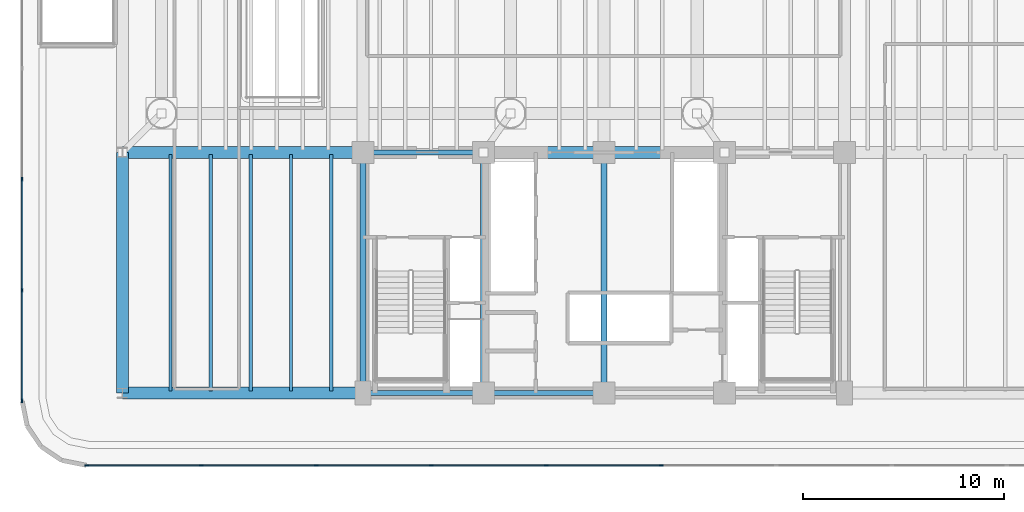
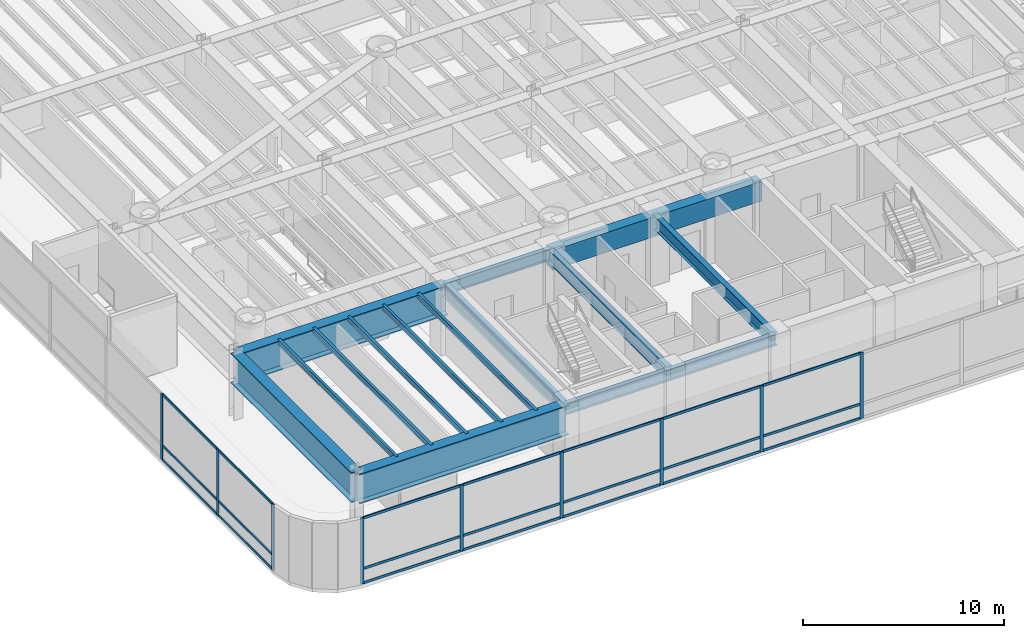
# One storey, part 3 of 18: 30 members, 15 beams, 2 elements without a shape of their own.
"""IFC4 building model written with IfcOpenShell, lengths in metres."""

from ifc_helpers import new_model, si_unit, direction, frame, origin, origin_2d, place, context, subcontext, project, spatial, rectangle, i_section, extrude, source, transform, mapped, material, layer, layer_set, material_profile, profile_set, type_object, element, aggregate, save


model = new_model("IFC4")

# Units and contexts
model_context = context("Model", 3, precision=1e-05, world=origin(), true_north=direction((0.0, 1.0)))
body_context = subcontext(model_context, "Body", "Model", "MODEL_VIEW")
ifc_project = project(units=[si_unit("LENGTHUNIT", "METRE"), si_unit("AREAUNIT", "SQUARE_METRE"), si_unit("VOLUMEUNIT", "CUBIC_METRE"), si_unit("PLANEANGLEUNIT", "RADIAN"), si_unit("MASSUNIT", "GRAM", prefix="KILO")], contexts=[model_context])

# Site, building, storey
site_placement = place(None, origin())
site = spatial("IfcSite", under=ifc_project, at=site_placement, CompositionType="ELEMENT")
building_placement = place(site_placement, origin())
building = spatial("IfcBuilding", under=site, at=building_placement, Name="Brelvock Crest Care Tower", CompositionType="ELEMENT")
storey_placement = place(building_placement, frame((0.0, 0.0, 22.679931640625)))
storey = spatial("IfcBuildingStorey", under=building, at=storey_placement, Name="L05", CompositionType="ELEMENT", Elevation=22.679931640625)

# Beams
ifc_material_1 = material(Name="Concrete S80 (80 MPa)", Category="concrete")
ifc_material_profile_1 = material_profile(ifc_material_1, rectangle(XDim=0.60009765625, YDim=1.199951171875, at=origin_2d()), Name="RC600x1200")
ifc_profile_set_1 = profile_set([ifc_material_profile_1], Name="Concrete S80 (80 MPa)")
beam_type_1 = type_object("IfcBeamType", Name="BM-LN1", PredefinedType="LINTEL", material=ifc_profile_set_1)
shared_shape_1 = source(origin(), body_context, "Body", "SweptSolid", [
    extrude(rectangle(XDim=0.60009765625, YDim=1.199951171875, at=origin_2d()), origin(), (0.0, 0.0, 1.0), 12.0),
])
beam_placement = place(storey_placement, frame((30.0, 18.0, 3.400146484375), z_axis=(1.0, 0.0, 0.0), x_axis=(0.0, 1.0, 0.0)))
element("IfcBeam", 1, at=beam_placement, inside=storey, type_object=beam_type_1, Name="L05 Core Coupling Lintel Beam", PredefinedType="LINTEL", context=body_context, shape_type="MappedRepresentation", body=[
    mapped(shared_shape_1, transform((0.0, 0.0, 0.0), x_axis=(1.0, 0.0, 0.0), y_axis=(0.0, 1.0, 0.0), z_axis=(0.0, 0.0, 1.0), scale=1.0)),
])
ifc_material_2 = material(Name="Steel Grade 350", Category="steel")
ifc_material_profile_2 = material_profile(ifc_material_2, i_section(OverallWidth=0.25, OverallDepth=0.699951171875, WebThickness=0.011962890625, FlangeThickness=0.02001953125, at=origin_2d()), Name="700WB150")
ifc_profile_set_2 = profile_set([ifc_material_profile_2], Name="Steel Grade 350")
beam_type_2 = type_object("IfcBeamType", Name="BM-G4", PredefinedType="BEAM", material=ifc_profile_set_2)
shared_shape_2 = source(origin(), body_context, "Body", "SweptSolid", [
    extrude(i_section(OverallWidth=0.25, OverallDepth=0.699951171875, WebThickness=0.011962890625, FlangeThickness=0.02001953125, at=origin_2d()), origin(), (0.0, 0.0, 1.0), 6.0),
])
for number, where, z_axis, x_axis, name in (
    (2, (24.0, 6.0, 3.650146484375), (1.0, 0.0, 0.0), (0.0, 1.0, 0.0), "BM-CORES-L05-1"),
    (3, (24.0, 18.0, 3.650146484375), (1.0, 0.0, 0.0), (0.0, 1.0, 0.0), "BM-COREN-L05-1"),
    (4, (30.0, 6.0, 3.650146484375), (1.0, 0.0, 0.0), (0.0, 1.0, 0.0), "BM-CORES-L05-2"),
):
    element("IfcBeam", number, at=place(storey_placement, frame(where, z_axis=z_axis, x_axis=x_axis)), inside=storey, type_object=beam_type_2, Name=name, PredefinedType="BEAM", context=body_context, shape_type="MappedRepresentation", body=[
        mapped(shared_shape_2, transform((0.0, 0.0, 0.0), x_axis=(1.0, 0.0, 0.0), y_axis=(0.0, 1.0, 0.0), z_axis=(0.0, 0.0, 1.0), scale=1.0)),
    ])
ifc_material_profile_3 = material_profile(ifc_material_2, i_section(OverallWidth=0.300048828125, OverallDepth=0.800048828125, WebThickness=0.013916015625, FlangeThickness=0.02197265625, at=origin_2d()), Name="800WB192")
ifc_profile_set_3 = profile_set([ifc_material_profile_3], Name="Steel Grade 350")
beam_type_3 = type_object("IfcBeamType", Name="BM-G5", PredefinedType="BEAM", material=ifc_profile_set_3)
shared_shape_3 = source(origin(), body_context, "Body", "SweptSolid", [
    extrude(i_section(OverallWidth=0.300048828125, OverallDepth=0.800048828125, WebThickness=0.013916015625, FlangeThickness=0.02197265625, at=origin_2d()), origin(), (0.0, 0.0, 1.0), 12.0),
])
for number, where, z_axis, x_axis, name in (
    (5, (24.0, 6.0, 3.60009765625), (0.0, 1.0, 0.0), (-1.0, 0.0, 0.0), "BM-COREX-L05-1"),
    (6, (30.0, 6.0, 3.60009765625), (0.0, 1.0, 0.0), (-1.0, 0.0, 0.0), "BM-COREX-L05-2"),
    (7, (36.0, 6.0, 3.60009765625), (0.0, 1.0, 0.0), (-1.0, 0.0, 0.0), "BM-COREX-L05-3"),
):
    element("IfcBeam", number, at=place(storey_placement, frame(where, z_axis=z_axis, x_axis=x_axis)), inside=storey, type_object=beam_type_3, Name=name, PredefinedType="BEAM", context=body_context, shape_type="MappedRepresentation", body=[
        mapped(shared_shape_3, transform((0.0, 0.0, 0.0), x_axis=(1.0, 0.0, 0.0), y_axis=(0.0, 1.0, 0.0), z_axis=(0.0, 0.0, 1.0), scale=1.0)),
    ])
ifc_material_profile_4 = material_profile(ifc_material_2, i_section(OverallWidth=0.166015625, OverallDepth=0.306884765625, WebThickness=0.006591796875, FlangeThickness=0.01171875, FilletRadius=0.011474609375, at=origin_2d()), Name="310UB46.2")
ifc_profile_set_4 = profile_set([ifc_material_profile_4], Name="Steel Grade 350")
beam_type_4 = type_object("IfcBeamType", Name="BM-J2", PredefinedType="JOIST", material=ifc_profile_set_4)
shared_shape_4 = source(origin(), body_context, "Body", "SweptSolid", [
    extrude(i_section(OverallWidth=0.166015625, OverallDepth=0.306884765625, WebThickness=0.006591796875, FlangeThickness=0.01171875, FilletRadius=0.011474609375, at=origin_2d()), origin(), (0.0, 0.0, 1.0), 11.77001953125),
])
for number, where, z_axis, x_axis, name in (
    (8, (14.39990234375, 6.114990234375, 3.8466796875), (0.0, 1.0, 0.0), (-1.0, 0.0, 0.0), "BM-PODSJ-L05-144"),
    (9, (16.39990234375, 6.114990234375, 3.8466796875), (0.0, 1.0, 0.0), (-1.0, 0.0, 0.0), "BM-PODSJ-L05-164"),
    (10, (18.39990234375, 6.114990234375, 3.8466796875), (0.0, 1.0, 0.0), (-1.0, 0.0, 0.0), "BM-PODSJ-L05-184"),
    (11, (20.39990234375, 6.114990234375, 3.8466796875), (0.0, 1.0, 0.0), (-1.0, 0.0, 0.0), "BM-PODSJ-L05-204"),
    (12, (22.39990234375, 6.114990234375, 3.8466796875), (0.0, 1.0, 0.0), (-1.0, 0.0, 0.0), "BM-PODSJ-L05-224"),
):
    element("IfcBeam", number, at=place(storey_placement, frame(where, z_axis=z_axis, x_axis=x_axis)), inside=storey, type_object=beam_type_4, Name=name, PredefinedType="JOIST", context=body_context, shape_type="MappedRepresentation", body=[
        mapped(shared_shape_4, transform((0.0, 0.0, 0.0), x_axis=(1.0, 0.0, 0.0), y_axis=(0.0, 1.0, 0.0), z_axis=(0.0, 0.0, 1.0), scale=1.0)),
    ])
ifc_material_profile_5 = material_profile(ifc_material_2, i_section(OverallWidth=0.60009765625, OverallDepth=1.800048828125, WebThickness=0.028076171875, FlangeThickness=0.052001953125, at=origin_2d()), Name="1800TG740")
ifc_profile_set_5 = profile_set([ifc_material_profile_5], Name="Steel Grade 350")
beam_type_5 = type_object("IfcBeamType", Name="BM-TG1", PredefinedType="USERDEFINED", material=ifc_profile_set_5)
shared_shape_5 = source(origin(), body_context, "Body", "SweptSolid", [
    extrude(i_section(OverallWidth=0.60009765625, OverallDepth=1.800048828125, WebThickness=0.028076171875, FlangeThickness=0.052001953125, at=origin_2d()), origin(), (0.0, 0.0, 1.0), 12.0),
])
for number, where, z_axis, x_axis, name in (
    (13, (12.0, 6.0, 3.10009765625), (1.0, 0.0, 0.0), (0.0, 1.0, 0.0), "BM-PODX-L05-6-12"),
    (14, (12.0, 18.0, 3.10009765625), (1.0, 0.0, 0.0), (0.0, 1.0, 0.0), "BM-PODX-L05-18-12"),
    (15, (12.0, 6.0, 3.10009765625), (0.0, 1.0, 0.0), (-1.0, 0.0, 0.0), "BM-PODY-L05-12-6"),
):
    element("IfcBeam", number, at=place(storey_placement, frame(where, z_axis=z_axis, x_axis=x_axis)), inside=storey, type_object=beam_type_5, Name=name, ObjectType="GIRDER", PredefinedType="USERDEFINED", context=body_context, shape_type="MappedRepresentation", body=[
        mapped(shared_shape_5, transform((0.0, 0.0, 0.0), x_axis=(1.0, 0.0, 0.0), y_axis=(0.0, 1.0, 0.0), z_axis=(0.0, 0.0, 1.0), scale=1.0)),
    ])

# Curtain wall, members
ifc_material_3 = material(Name="Dark Glass Double Glazed Low-E", Category="glass")
ifc_layer = layer(ifc_material_3, 0.179931640625, Name="CWS-1")
ifc_layer_set = layer_set([ifc_layer], Name="Dark Glass Double Glazed Low-E")
curtain_wall_type = type_object("IfcCurtainWallType", Name="CWS-1", PredefinedType="NOTDEFINED", material=ifc_layer_set)
curtain_wall_1_placement = place(storey_placement, origin())
curtain_wall_1 = element("IfcCurtainWall", 16, at=curtain_wall_1_placement, inside=storey, type_object=curtain_wall_type, Name="L05 Curtain Wall E04", PredefinedType="NOTDEFINED")
ifc_material_4 = material(Name="Aluminium 6063-T6", Category="aluminium")
ifc_material_profile_6 = material_profile(ifc_material_4, rectangle(XDim=0.06494140625, YDim=0.14990234375, at=origin_2d()), Name="ALU65x150")
ifc_profile_set_6 = profile_set([ifc_material_profile_6], Name="Aluminium 6063-T6")
member_type_1 = type_object("IfcMemberType", Name="CWT-1", PredefinedType="USERDEFINED", material=ifc_profile_set_6)
shared_shape_6 = source(origin(), body_context, "Body", "SweptSolid", [
    extrude(rectangle(XDim=0.06494140625, YDim=0.14990234375, at=origin_2d()), origin(), (0.0, 0.0, 1.0), 5.435791015625),
])
member_1_placement = place(storey_placement, frame((7.0, 5.6650390625, 0.032470703125), z_axis=(0.0, 1.0, 0.0), x_axis=(-1.0, 0.0, 0.0)))
member_1 = element("IfcMember", 17, at=member_1_placement, type_object=member_type_1, Name="CW-1 transom 1.1", ObjectType="TRANSOM", PredefinedType="USERDEFINED", context=body_context, shape_type="MappedRepresentation", body=[
    mapped(shared_shape_6, transform((0.0, 0.0, 0.0), x_axis=(1.0, 0.0, 0.0), y_axis=(0.0, 1.0, 0.0), z_axis=(0.0, 0.0, 1.0), scale=1.0)),
])
member_2_placement = place(storey_placement, frame((7.0, 5.6650390625, 0.900146484375), z_axis=(0.0, 1.0, 0.0), x_axis=(-1.0, 0.0, 0.0)))
member_2 = element("IfcMember", 18, at=member_2_placement, type_object=member_type_1, Name="CW-1 transom 1.2", ObjectType="TRANSOM", PredefinedType="USERDEFINED", context=body_context, shape_type="MappedRepresentation", body=[
    mapped(shared_shape_6, transform((0.0, 0.0, 0.0), x_axis=(1.0, 0.0, 0.0), y_axis=(0.0, 1.0, 0.0), z_axis=(0.0, 0.0, 1.0), scale=1.0)),
])
member_3_placement = place(storey_placement, frame((7.0, 5.6650390625, 3.967529296875), z_axis=(0.0, 1.0, 0.0), x_axis=(-1.0, 0.0, 0.0)))
member_3 = element("IfcMember", 19, at=member_3_placement, type_object=member_type_1, Name="CW-1 transom 1.3", ObjectType="TRANSOM", PredefinedType="USERDEFINED", context=body_context, shape_type="MappedRepresentation", body=[
    mapped(shared_shape_6, transform((0.0, 0.0, 0.0), x_axis=(1.0, 0.0, 0.0), y_axis=(0.0, 1.0, 0.0), z_axis=(0.0, 0.0, 1.0), scale=1.0)),
])
shared_shape_7 = source(origin(), body_context, "Body", "SweptSolid", [
    extrude(rectangle(XDim=0.06494140625, YDim=0.14990234375, at=origin_2d()), origin(), (0.0, 0.0, 1.0), 5.468505859375),
])
member_4_placement = place(storey_placement, frame((7.0, 11.165771484375, 0.032470703125), z_axis=(0.0, 1.0, 0.0), x_axis=(-1.0, 0.0, 0.0)))
member_4 = element("IfcMember", 20, at=member_4_placement, type_object=member_type_1, Name="CW-1 transom 2.1", ObjectType="TRANSOM", PredefinedType="USERDEFINED", context=body_context, shape_type="MappedRepresentation", body=[
    mapped(shared_shape_7, transform((0.0, 0.0, 0.0), x_axis=(1.0, 0.0, 0.0), y_axis=(0.0, 1.0, 0.0), z_axis=(0.0, 0.0, 1.0), scale=1.0)),
])
member_5_placement = place(storey_placement, frame((7.0, 11.165771484375, 0.900146484375), z_axis=(0.0, 1.0, 0.0), x_axis=(-1.0, 0.0, 0.0)))
member_5 = element("IfcMember", 21, at=member_5_placement, type_object=member_type_1, Name="CW-1 transom 2.2", ObjectType="TRANSOM", PredefinedType="USERDEFINED", context=body_context, shape_type="MappedRepresentation", body=[
    mapped(shared_shape_7, transform((0.0, 0.0, 0.0), x_axis=(1.0, 0.0, 0.0), y_axis=(0.0, 1.0, 0.0), z_axis=(0.0, 0.0, 1.0), scale=1.0)),
])
member_6_placement = place(storey_placement, frame((7.0, 11.165771484375, 3.967529296875), z_axis=(0.0, 1.0, 0.0), x_axis=(-1.0, 0.0, 0.0)))
member_6 = element("IfcMember", 22, at=member_6_placement, type_object=member_type_1, Name="CW-1 transom 2.3", ObjectType="TRANSOM", PredefinedType="USERDEFINED", context=body_context, shape_type="MappedRepresentation", body=[
    mapped(shared_shape_7, transform((0.0, 0.0, 0.0), x_axis=(1.0, 0.0, 0.0), y_axis=(0.0, 1.0, 0.0), z_axis=(0.0, 0.0, 1.0), scale=1.0)),
])

curtain_wall_2_placement = place(storey_placement, origin())
curtain_wall_2 = element("IfcCurtainWall", 23, at=curtain_wall_2_placement, inside=storey, type_object=curtain_wall_type, Name="L05 Curtain Wall E19", PredefinedType="NOTDEFINED")
shared_shape_8 = source(origin(), body_context, "Body", "SweptSolid", [
    extrude(rectangle(XDim=0.06494140625, YDim=0.14990234375, at=origin_2d()), origin(), (0.0, 0.0, 1.0), 5.635986328125),
])
member_7_placement = place(storey_placement, frame((15.90087890625, 2.39990234375, 0.032470703125), z_axis=(-1.0, 0.0, 0.0), x_axis=(0.0, -1.0, 0.0)))
member_7 = element("IfcMember", 24, at=member_7_placement, type_object=member_type_1, Name="CW-1 transom 9.1", ObjectType="TRANSOM", PredefinedType="USERDEFINED", context=body_context, shape_type="MappedRepresentation", body=[
    mapped(shared_shape_8, transform((0.0, 0.0, 0.0), x_axis=(1.0, 0.0, 0.0), y_axis=(0.0, 1.0, 0.0), z_axis=(0.0, 0.0, 1.0), scale=1.0)),
])
member_8_placement = place(storey_placement, frame((15.90087890625, 2.39990234375, 0.900146484375), z_axis=(-1.0, 0.0, 0.0), x_axis=(0.0, -1.0, 0.0)))
member_8 = element("IfcMember", 25, at=member_8_placement, type_object=member_type_1, Name="CW-1 transom 9.2", ObjectType="TRANSOM", PredefinedType="USERDEFINED", context=body_context, shape_type="MappedRepresentation", body=[
    mapped(shared_shape_8, transform((0.0, 0.0, 0.0), x_axis=(1.0, 0.0, 0.0), y_axis=(0.0, 1.0, 0.0), z_axis=(0.0, 0.0, 1.0), scale=1.0)),
])
member_9_placement = place(storey_placement, frame((15.90087890625, 2.39990234375, 3.967529296875), z_axis=(-1.0, 0.0, 0.0), x_axis=(0.0, -1.0, 0.0)))
member_9 = element("IfcMember", 26, at=member_9_placement, type_object=member_type_1, Name="CW-1 transom 9.3", ObjectType="TRANSOM", PredefinedType="USERDEFINED", context=body_context, shape_type="MappedRepresentation", body=[
    mapped(shared_shape_8, transform((0.0, 0.0, 0.0), x_axis=(1.0, 0.0, 0.0), y_axis=(0.0, 1.0, 0.0), z_axis=(0.0, 0.0, 1.0), scale=1.0)),
])
shared_shape_9 = source(origin(), body_context, "Body", "SweptSolid", [
    extrude(rectangle(XDim=0.06494140625, YDim=0.14990234375, at=origin_2d()), origin(), (0.0, 0.0, 1.0), 5.66845703125),
])
member_10_placement = place(storey_placement, frame((38.834228515625, 2.39990234375, 0.032470703125), z_axis=(-1.0, 0.0, 0.0), x_axis=(0.0, -1.0, 0.0)))
member_10 = element("IfcMember", 27, at=member_10_placement, type_object=member_type_1, Name="CW-1 transom 5.1", ObjectType="TRANSOM", PredefinedType="USERDEFINED", context=body_context, shape_type="MappedRepresentation", body=[
    mapped(shared_shape_9, transform((0.0, 0.0, 0.0), x_axis=(1.0, 0.0, 0.0), y_axis=(0.0, 1.0, 0.0), z_axis=(0.0, 0.0, 1.0), scale=1.0)),
])
member_11_placement = place(storey_placement, frame((38.834228515625, 2.39990234375, 0.900146484375), z_axis=(-1.0, 0.0, 0.0), x_axis=(0.0, -1.0, 0.0)))
member_11 = element("IfcMember", 28, at=member_11_placement, type_object=member_type_1, Name="CW-1 transom 5.2", ObjectType="TRANSOM", PredefinedType="USERDEFINED", context=body_context, shape_type="MappedRepresentation", body=[
    mapped(shared_shape_9, transform((0.0, 0.0, 0.0), x_axis=(1.0, 0.0, 0.0), y_axis=(0.0, 1.0, 0.0), z_axis=(0.0, 0.0, 1.0), scale=1.0)),
])
member_12_placement = place(storey_placement, frame((38.834228515625, 2.39990234375, 3.967529296875), z_axis=(-1.0, 0.0, 0.0), x_axis=(0.0, -1.0, 0.0)))
member_12 = element("IfcMember", 29, at=member_12_placement, type_object=member_type_1, Name="CW-1 transom 5.3", ObjectType="TRANSOM", PredefinedType="USERDEFINED", context=body_context, shape_type="MappedRepresentation", body=[
    mapped(shared_shape_9, transform((0.0, 0.0, 0.0), x_axis=(1.0, 0.0, 0.0), y_axis=(0.0, 1.0, 0.0), z_axis=(0.0, 0.0, 1.0), scale=1.0)),
])
member_13_placement = place(storey_placement, frame((21.63427734375, 2.39990234375, 0.032470703125), z_axis=(-1.0, 0.0, 0.0), x_axis=(0.0, -1.0, 0.0)))
member_13 = element("IfcMember", 30, at=member_13_placement, type_object=member_type_1, Name="CW-1 transom 8.1", ObjectType="TRANSOM", PredefinedType="USERDEFINED", context=body_context, shape_type="MappedRepresentation", body=[
    mapped(shared_shape_9, transform((0.0, 0.0, 0.0), x_axis=(1.0, 0.0, 0.0), y_axis=(0.0, 1.0, 0.0), z_axis=(0.0, 0.0, 1.0), scale=1.0)),
])
member_14_placement = place(storey_placement, frame((21.63427734375, 2.39990234375, 0.900146484375), z_axis=(-1.0, 0.0, 0.0), x_axis=(0.0, -1.0, 0.0)))
member_14 = element("IfcMember", 31, at=member_14_placement, type_object=member_type_1, Name="CW-1 transom 8.2", ObjectType="TRANSOM", PredefinedType="USERDEFINED", context=body_context, shape_type="MappedRepresentation", body=[
    mapped(shared_shape_9, transform((0.0, 0.0, 0.0), x_axis=(1.0, 0.0, 0.0), y_axis=(0.0, 1.0, 0.0), z_axis=(0.0, 0.0, 1.0), scale=1.0)),
])
member_15_placement = place(storey_placement, frame((21.63427734375, 2.39990234375, 3.967529296875), z_axis=(-1.0, 0.0, 0.0), x_axis=(0.0, -1.0, 0.0)))
member_15 = element("IfcMember", 32, at=member_15_placement, type_object=member_type_1, Name="CW-1 transom 8.3", ObjectType="TRANSOM", PredefinedType="USERDEFINED", context=body_context, shape_type="MappedRepresentation", body=[
    mapped(shared_shape_9, transform((0.0, 0.0, 0.0), x_axis=(1.0, 0.0, 0.0), y_axis=(0.0, 1.0, 0.0), z_axis=(0.0, 0.0, 1.0), scale=1.0)),
])
shared_shape_10 = source(origin(), body_context, "Body", "SweptSolid", [
    extrude(rectangle(XDim=0.06494140625, YDim=0.14990234375, at=origin_2d()), origin(), (0.0, 0.0, 1.0), 5.668212890625),
])
member_16_placement = place(storey_placement, frame((33.100830078125, 2.39990234375, 0.032470703125), z_axis=(-1.0, 0.0, 0.0), x_axis=(0.0, -1.0, 0.0)))
member_16 = element("IfcMember", 33, at=member_16_placement, type_object=member_type_1, Name="CW-1 transom 6.1", ObjectType="TRANSOM", PredefinedType="USERDEFINED", context=body_context, shape_type="MappedRepresentation", body=[
    mapped(shared_shape_10, transform((0.0, 0.0, 0.0), x_axis=(1.0, 0.0, 0.0), y_axis=(0.0, 1.0, 0.0), z_axis=(0.0, 0.0, 1.0), scale=1.0)),
])
member_17_placement = place(storey_placement, frame((33.100830078125, 2.39990234375, 0.900146484375), z_axis=(-1.0, 0.0, 0.0), x_axis=(0.0, -1.0, 0.0)))
member_17 = element("IfcMember", 34, at=member_17_placement, type_object=member_type_1, Name="CW-1 transom 6.2", ObjectType="TRANSOM", PredefinedType="USERDEFINED", context=body_context, shape_type="MappedRepresentation", body=[
    mapped(shared_shape_10, transform((0.0, 0.0, 0.0), x_axis=(1.0, 0.0, 0.0), y_axis=(0.0, 1.0, 0.0), z_axis=(0.0, 0.0, 1.0), scale=1.0)),
])
member_18_placement = place(storey_placement, frame((33.100830078125, 2.39990234375, 3.967529296875), z_axis=(-1.0, 0.0, 0.0), x_axis=(0.0, -1.0, 0.0)))
member_18 = element("IfcMember", 35, at=member_18_placement, type_object=member_type_1, Name="CW-1 transom 6.3", ObjectType="TRANSOM", PredefinedType="USERDEFINED", context=body_context, shape_type="MappedRepresentation", body=[
    mapped(shared_shape_10, transform((0.0, 0.0, 0.0), x_axis=(1.0, 0.0, 0.0), y_axis=(0.0, 1.0, 0.0), z_axis=(0.0, 0.0, 1.0), scale=1.0)),
])
member_19_placement = place(storey_placement, frame((27.367431640625, 2.39990234375, 0.032470703125), z_axis=(-1.0, 0.0, 0.0), x_axis=(0.0, -1.0, 0.0)))
member_19 = element("IfcMember", 36, at=member_19_placement, type_object=member_type_1, Name="CW-1 transom 7.1", ObjectType="TRANSOM", PredefinedType="USERDEFINED", context=body_context, shape_type="MappedRepresentation", body=[
    mapped(shared_shape_10, transform((0.0, 0.0, 0.0), x_axis=(1.0, 0.0, 0.0), y_axis=(0.0, 1.0, 0.0), z_axis=(0.0, 0.0, 1.0), scale=1.0)),
])
member_20_placement = place(storey_placement, frame((27.367431640625, 2.39990234375, 0.900146484375), z_axis=(-1.0, 0.0, 0.0), x_axis=(0.0, -1.0, 0.0)))
member_20 = element("IfcMember", 37, at=member_20_placement, type_object=member_type_1, Name="CW-1 transom 7.2", ObjectType="TRANSOM", PredefinedType="USERDEFINED", context=body_context, shape_type="MappedRepresentation", body=[
    mapped(shared_shape_10, transform((0.0, 0.0, 0.0), x_axis=(1.0, 0.0, 0.0), y_axis=(0.0, 1.0, 0.0), z_axis=(0.0, 0.0, 1.0), scale=1.0)),
])
member_21_placement = place(storey_placement, frame((27.367431640625, 2.39990234375, 3.967529296875), z_axis=(-1.0, 0.0, 0.0), x_axis=(0.0, -1.0, 0.0)))
member_21 = element("IfcMember", 38, at=member_21_placement, type_object=member_type_1, Name="CW-1 transom 7.3", ObjectType="TRANSOM", PredefinedType="USERDEFINED", context=body_context, shape_type="MappedRepresentation", body=[
    mapped(shared_shape_10, transform((0.0, 0.0, 0.0), x_axis=(1.0, 0.0, 0.0), y_axis=(0.0, 1.0, 0.0), z_axis=(0.0, 0.0, 1.0), scale=1.0)),
])

# Member
ifc_material_profile_7 = material_profile(ifc_material_4, rectangle(XDim=0.06494140625, YDim=0.199951171875, at=origin_2d()), Name="ALU65x200")
ifc_profile_set_7 = profile_set([ifc_material_profile_7], Name="Aluminium 6063-T6")
member_type_2 = type_object("IfcMemberType", Name="CWM-1", PredefinedType="MULLION", material=ifc_profile_set_7)
shared_shape_11 = source(origin(), body_context, "Body", "SweptSolid", [
    extrude(rectangle(XDim=0.06494140625, YDim=0.199951171875, at=origin_2d()), origin(), (0.0, 0.0, 1.0), 4.0),
])
member_22_placement = place(storey_placement, frame((7.0, 5.632568359375, 0.0), z_axis=(0.0, 0.0, 1.0), x_axis=(-1.0, 0.0, 0.0)))
member_22 = element("IfcMember", 39, at=member_22_placement, type_object=member_type_2, Name="CW-1 mullion 1", PredefinedType="MULLION", context=body_context, shape_type="MappedRepresentation", body=[
    mapped(shared_shape_11, transform((0.0, 0.0, 0.0), x_axis=(1.0, 0.0, 0.0), y_axis=(0.0, 1.0, 0.0), z_axis=(0.0, 0.0, 1.0), scale=1.0)),
])

member_23_placement = place(storey_placement, frame((7.0, 11.13330078125, 0.0), z_axis=(0.0, 0.0, 1.0), x_axis=(-1.0, 0.0, 0.0)))
member_23 = element("IfcMember", 40, at=member_23_placement, type_object=member_type_2, Name="CW-1 mullion 2", PredefinedType="MULLION", context=body_context, shape_type="MappedRepresentation", body=[
    mapped(shared_shape_11, transform((0.0, 0.0, 0.0), x_axis=(1.0, 0.0, 0.0), y_axis=(0.0, 1.0, 0.0), z_axis=(0.0, 0.0, 1.0), scale=1.0)),
])

member_24_placement = place(storey_placement, frame((7.0, 16.666748046875, 0.0), z_axis=(0.0, 0.0, 1.0), x_axis=(-1.0, 0.0, 0.0)))
member_24 = element("IfcMember", 41, at=member_24_placement, type_object=member_type_2, Name="CW-1 mullion 3", PredefinedType="MULLION", context=body_context, shape_type="MappedRepresentation", body=[
    mapped(shared_shape_11, transform((0.0, 0.0, 0.0), x_axis=(1.0, 0.0, 0.0), y_axis=(0.0, 1.0, 0.0), z_axis=(0.0, 0.0, 1.0), scale=1.0)),
])

aggregate(curtain_wall_1, [member_22, member_23, member_24, member_1, member_2, member_3, member_4, member_5, member_6])

member_25_placement = place(storey_placement, frame((38.86669921875, 2.39990234375, 0.0), z_axis=(0.0, 0.0, 1.0), x_axis=(0.0, -1.0, 0.0)))
member_25 = element("IfcMember", 42, at=member_25_placement, type_object=member_type_2, Name="CW-1 mullion 5", PredefinedType="MULLION", context=body_context, shape_type="MappedRepresentation", body=[
    mapped(shared_shape_11, transform((0.0, 0.0, 0.0), x_axis=(1.0, 0.0, 0.0), y_axis=(0.0, 1.0, 0.0), z_axis=(0.0, 0.0, 1.0), scale=1.0)),
])

member_26_placement = place(storey_placement, frame((33.13330078125, 2.39990234375, 0.0), z_axis=(0.0, 0.0, 1.0), x_axis=(0.0, -1.0, 0.0)))
member_26 = element("IfcMember", 43, at=member_26_placement, type_object=member_type_2, Name="CW-1 mullion 6", PredefinedType="MULLION", context=body_context, shape_type="MappedRepresentation", body=[
    mapped(shared_shape_11, transform((0.0, 0.0, 0.0), x_axis=(1.0, 0.0, 0.0), y_axis=(0.0, 1.0, 0.0), z_axis=(0.0, 0.0, 1.0), scale=1.0)),
])

member_27_placement = place(storey_placement, frame((27.39990234375, 2.39990234375, 0.0), z_axis=(0.0, 0.0, 1.0), x_axis=(0.0, -1.0, 0.0)))
member_27 = element("IfcMember", 44, at=member_27_placement, type_object=member_type_2, Name="CW-1 mullion 7", PredefinedType="MULLION", context=body_context, shape_type="MappedRepresentation", body=[
    mapped(shared_shape_11, transform((0.0, 0.0, 0.0), x_axis=(1.0, 0.0, 0.0), y_axis=(0.0, 1.0, 0.0), z_axis=(0.0, 0.0, 1.0), scale=1.0)),
])

member_28_placement = place(storey_placement, frame((21.666748046875, 2.39990234375, 0.0), z_axis=(0.0, 0.0, 1.0), x_axis=(0.0, -1.0, 0.0)))
member_28 = element("IfcMember", 45, at=member_28_placement, type_object=member_type_2, Name="CW-1 mullion 8", PredefinedType="MULLION", context=body_context, shape_type="MappedRepresentation", body=[
    mapped(shared_shape_11, transform((0.0, 0.0, 0.0), x_axis=(1.0, 0.0, 0.0), y_axis=(0.0, 1.0, 0.0), z_axis=(0.0, 0.0, 1.0), scale=1.0)),
])

member_29_placement = place(storey_placement, frame((15.933349609375, 2.39990234375, 0.0), z_axis=(0.0, 0.0, 1.0), x_axis=(0.0, -1.0, 0.0)))
member_29 = element("IfcMember", 46, at=member_29_placement, type_object=member_type_2, Name="CW-1 mullion 9", PredefinedType="MULLION", context=body_context, shape_type="MappedRepresentation", body=[
    mapped(shared_shape_11, transform((0.0, 0.0, 0.0), x_axis=(1.0, 0.0, 0.0), y_axis=(0.0, 1.0, 0.0), z_axis=(0.0, 0.0, 1.0), scale=1.0)),
])

member_30_placement = place(storey_placement, frame((10.232421875, 2.39990234375, 0.0), z_axis=(0.0, 0.0, 1.0), x_axis=(0.0, -1.0, 0.0)))
member_30 = element("IfcMember", 47, at=member_30_placement, type_object=member_type_2, Name="CW-1 mullion 10", PredefinedType="MULLION", context=body_context, shape_type="MappedRepresentation", body=[
    mapped(shared_shape_11, transform((0.0, 0.0, 0.0), x_axis=(1.0, 0.0, 0.0), y_axis=(0.0, 1.0, 0.0), z_axis=(0.0, 0.0, 1.0), scale=1.0)),
])

aggregate(curtain_wall_2, [member_25, member_26, member_27, member_28, member_29, member_30, member_10, member_11, member_12, member_16, member_17, member_18, member_19, member_20, member_21, member_13, member_14, member_15, member_7, member_8, member_9])

save(model, "model.ifc")
